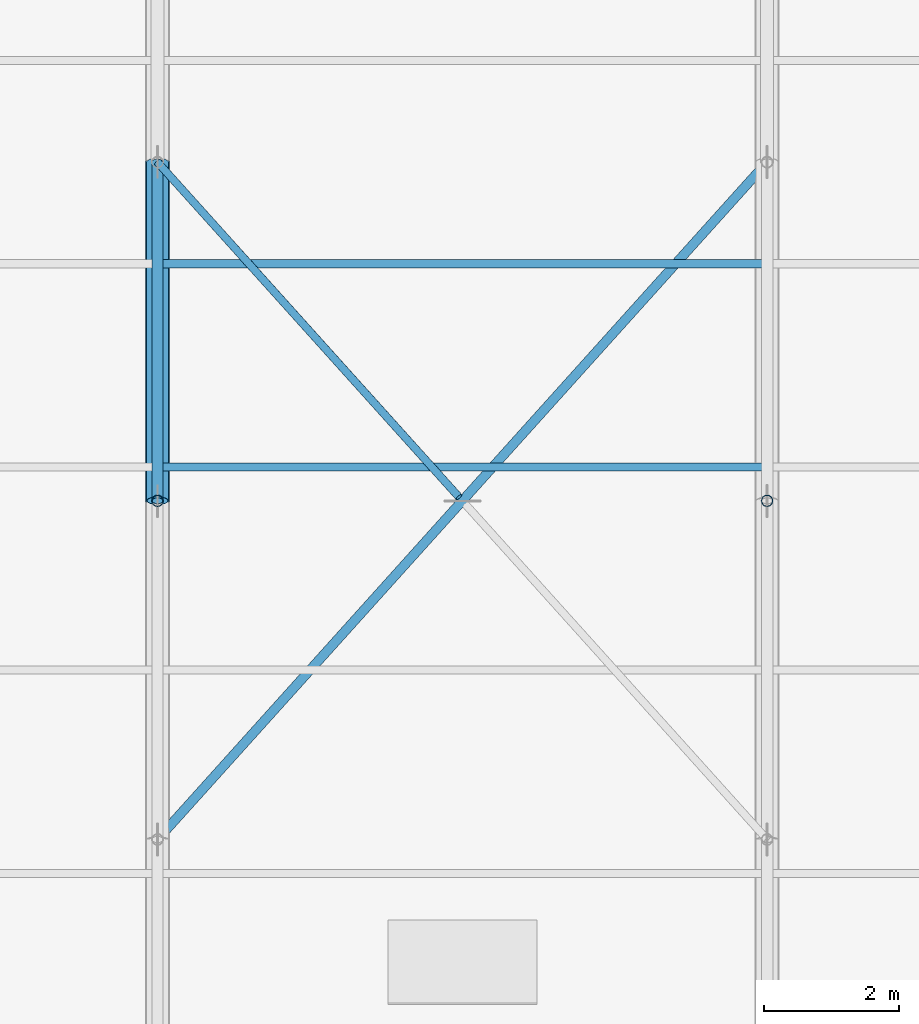
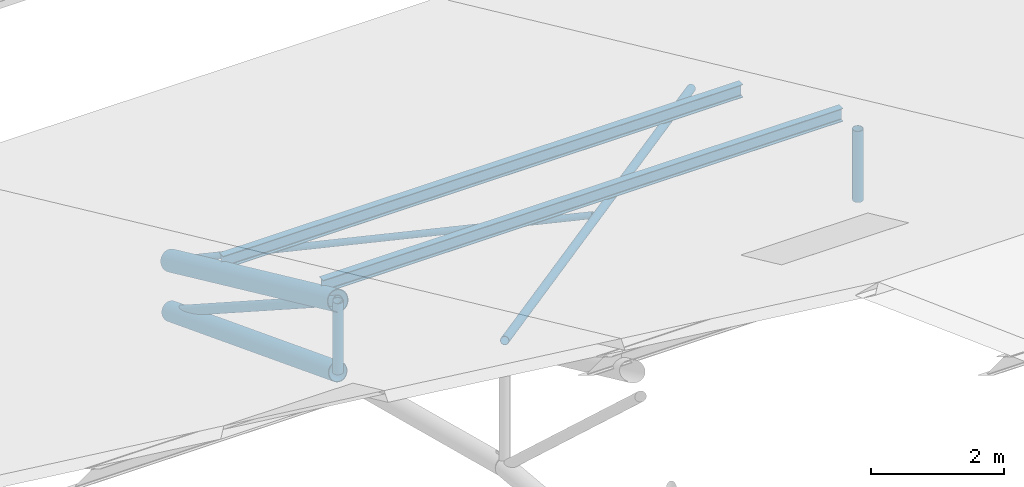
# One storey, part 46 of 107: 9 members.
"""IFC4 building model written with IfcOpenShell, lengths in metres."""

from ifc_helpers import new_model, si_unit, derived_unit, direction, frame, origin, origin_2d, place, context, subcontext, project, spatial, hollow_circle, i_section, extrude, material, material_profile, profile_set, type_object, element, save


model = new_model("IFC4")

# Units and contexts
model_context = context("Model", 3, precision=1e-05, world=origin(), true_north=direction((0.0, 1.0)))
body_context = subcontext(model_context, "Body", "Model", "MODEL_VIEW")
ifc_project = project(units=[si_unit("LENGTHUNIT", "METRE"), si_unit("AREAUNIT", "SQUARE_METRE"), si_unit("VOLUMEUNIT", "CUBIC_METRE"), si_unit("PLANEANGLEUNIT", "RADIAN"), si_unit("MASSUNIT", "GRAM", prefix="KILO"), si_unit("THERMODYNAMICTEMPERATUREUNIT", "KELVIN"), si_unit("TIMEUNIT", "SECOND"), derived_unit("THERMALTRANSMITTANCEUNIT", [(si_unit("MASSUNIT", "GRAM", prefix="KILO"), 1), (si_unit("THERMODYNAMICTEMPERATUREUNIT", "KELVIN"), -1), (si_unit("TIMEUNIT", "SECOND"), -3)])], contexts=[model_context])

# Site, building, storey
site_placement = place(None, origin())
site = spatial("IfcSite", under=ifc_project, at=site_placement, CompositionType="ELEMENT")
building_placement = place(site_placement, origin())
building = spatial("IfcBuilding", under=site, at=building_placement, Name="Cambertide Market Hall", CompositionType="ELEMENT")
storey_placement = place(building_placement, frame((0.0, 0.0, 18.300048828125)))
storey = spatial("IfcBuildingStorey", under=building, at=storey_placement, Name="RF", CompositionType="ELEMENT", Elevation=18.300048828125)

# Members
ifc_material_1 = material(Name="Steel S355", Category="steel")
ifc_material_profile_1 = material_profile(ifc_material_1, hollow_circle(Radius=0.161865234375, WallThickness=0.010009765625, at=origin_2d()), Name="CHS 323.9x10")
ifc_profile_set_1 = profile_set([ifc_material_profile_1], Name="Steel S355")
member_type_1 = type_object("IfcMemberType", Name="Arched Truss Chord CHS 323.9x10", PredefinedType="CHORD", material=ifc_profile_set_1)
member_1_placement = place(storey_placement, frame((69.0, 82.0, -6.251220703125), z_axis=(0.0, 0.933191676524, -0.359379040661), x_axis=(-1.0, 0.0, 0.0)))
element("IfcMember", 1, at=member_1_placement, inside=storey, type_object=member_type_1, Name="Roof Truss 4 Arched Bottom Chord 7", PredefinedType="CHORD", context=body_context, shape_type="SweptSolid", body=[
    extrude(hollow_circle(Radius=0.161865234375, WallThickness=0.010009765625, at=origin_2d()), origin(), (0.0, 0.0, 1.0), 5.35791015625),
])
ifc_material_2 = material(Name="Steel S355", Category="steel")
ifc_material_profile_2 = material_profile(ifc_material_2, hollow_circle(Radius=0.177734375, WallThickness=0.012451171875, at=origin_2d()), Name="CHS 355.6x12.5")
ifc_profile_set_2 = profile_set([ifc_material_profile_2], Name="Steel S355")
member_type_2 = type_object("IfcMemberType", Name="Arched Truss Chord CHS 355.6x12.5", PredefinedType="CHORD", material=ifc_profile_set_2)
member_2_placement = place(storey_placement, frame((69.0, 82.0, -4.949951171875), z_axis=(0.0, 0.908487084298, -0.417912930721), x_axis=(-1.0, 0.0, 0.0)))
element("IfcMember", 2, at=member_2_placement, inside=storey, type_object=member_type_2, Name="Roof Truss 4 Top Chord 7", PredefinedType="CHORD", context=body_context, shape_type="SweptSolid", body=[
    extrude(hollow_circle(Radius=0.177734375, WallThickness=0.012451171875, at=origin_2d()), origin(), (0.0, 0.0, 1.0), 5.503662109375),
])
ifc_material_3 = material(Name="Steel S275", Category="steel")
ifc_material_profile_3 = material_profile(ifc_material_3, i_section(OverallWidth=0.1201171875, OverallDepth=0.239990234375, WebThickness=0.006103515625, FlangeThickness=0.009765625, FilletRadius=0.014892578125, at=origin_2d()), Name="IPE 240")
ifc_profile_set_3 = profile_set([ifc_material_profile_3], Name="Steel S275")
member_type_3 = type_object("IfcMemberType", Name="Roof Purlin IPE 240", PredefinedType="PURLIN", material=ifc_profile_set_3)
for number, where, z_axis, x_axis, name in (
    (3, (69.0, 82.5, -4.969970703125), (1.0, 0.0, 0.0), (0.0, 1.0, 0.0), "Barrel Roof Purlin 4-12"),
    (4, (69.0, 85.5, -6.35009765625), (1.0, 0.0, 0.0), (0.0, 1.0, 0.0), "Barrel Roof Purlin 4-13"),
):
    element("IfcMember", number, at=place(storey_placement, frame(where, z_axis=z_axis, x_axis=x_axis)), inside=storey, type_object=member_type_3, Name=name, PredefinedType="PURLIN", context=body_context, shape_type="SweptSolid", body=[
        extrude(i_section(OverallWidth=0.1201171875, OverallDepth=0.239990234375, WebThickness=0.006103515625, FlangeThickness=0.009765625, FilletRadius=0.014892578125, at=origin_2d()), origin(), (0.0, 0.0, 1.0), 9.0),
    ])
ifc_material_4 = material(Name="Steel S275", Category="steel")
ifc_material_profile_4 = material_profile(ifc_material_4, hollow_circle(Radius=0.05712890625, WallThickness=0.0048828125, at=origin_2d()), Name="CHS 114.3x5")
ifc_profile_set_4 = profile_set([ifc_material_profile_4], Name="Steel S275")
member_type_4 = type_object("IfcMemberType", Name="Structural Brace CHS 114.3x5", PredefinedType="BRACE", material=ifc_profile_set_4)
member_3_placement = place(storey_placement, frame((73.45068359375, 82.054931640625, -4.975341796875), z_axis=(-0.632999690254, 0.703313698634, -0.323513884481), x_axis=(-0.743285022771, -0.66897486868, 0.0)))
element("IfcMember", 5, at=member_3_placement, inside=storey, type_object=member_type_4, Name="Roof Wind X-Brace Split Segment 4-N2B", PredefinedType="BRACE", context=body_context, shape_type="SweptSolid", body=[
    extrude(hollow_circle(Radius=0.05712890625, WallThickness=0.0048828125, at=origin_2d()), origin(), (0.0, 0.0, 1.0), 7.031005859375),
])
ifc_material_5 = material(Name="Steel S275", Category="steel")
ifc_material_profile_5 = material_profile(ifc_material_5, hollow_circle(Radius=0.06982421875, WallThickness=0.0048828125, at=origin_2d()), Name="CHS 139.7x5")
ifc_profile_set_5 = profile_set([ifc_material_profile_5], Name="Steel S275")
member_type_5 = type_object("IfcMemberType", Name="Structural Brace CHS 139.7x5", PredefinedType="BRACE", material=ifc_profile_set_5)
member_4_placement = place(storey_placement, frame((69.0, 77.0, -2.650146484375), z_axis=(0.632989261711, 0.703321401901, -0.323517542315), x_axis=(-0.743294146247, 0.668964731622, 0.0)))
element("IfcMember", 6, at=member_4_placement, inside=storey, type_object=member_type_5, Name="Roof Wind X-Brace Continuous Diagonal 4-N1", PredefinedType="BRACE", context=body_context, shape_type="SweptSolid", body=[
    extrude(hollow_circle(Radius=0.06982421875, WallThickness=0.0048828125, at=origin_2d()), origin(), (0.0, 0.0, 1.0), 14.21826171875),
])
ifc_material_6 = material(Name="Steel S355", Category="steel")
ifc_material_profile_6 = material_profile(ifc_material_6, hollow_circle(Radius=0.084228515625, WallThickness=0.00634765625, at=origin_2d()), Name="CHS 168.3x6.3")
ifc_profile_set_6 = profile_set([ifc_material_profile_6], Name="Steel S355")
member_type_6 = type_object("IfcMemberType", Name="Structural Brace CHS 168.3x6.3", PredefinedType="BRACE", material=ifc_profile_set_6)
member_5_placement = place(storey_placement, frame((69.0, 82.0, -4.949951171875), z_axis=(0.0, 0.840220073362, -0.542245542462), x_axis=(-1.0, 0.0, 0.0)))
element("IfcMember", 7, at=member_5_placement, inside=storey, type_object=member_type_6, Name="Roof Truss 4 Web Diagonal 7", PredefinedType="BRACE", context=body_context, shape_type="SweptSolid", body=[
    extrude(hollow_circle(Radius=0.084228515625, WallThickness=0.00634765625, at=origin_2d()), origin(), (0.0, 0.0, 1.0), 5.950927734375),
])
for number, where, z_axis, x_axis, name in (
    (8, (69.0, 82.0, -6.251220703125), (0.0, 0.0, 1.0), (1.0, 0.0, 0.0), "Roof Truss 4 Web Post 7"),
    (9, (78.0, 82.0, -6.251220703125), (0.0, 0.0, 1.0), (1.0, 0.0, 0.0), "Roof Truss 5 Web Post 7"),
):
    element("IfcMember", number, at=place(storey_placement, frame(where, z_axis=z_axis, x_axis=x_axis)), inside=storey, type_object=member_type_6, Name=name, PredefinedType="BRACE", context=body_context, shape_type="SweptSolid", body=[
        extrude(hollow_circle(Radius=0.084228515625, WallThickness=0.00634765625, at=origin_2d()), origin(), (0.0, 0.0, 1.0), 1.30126953125),
    ])

save(model, "model.ifc")
